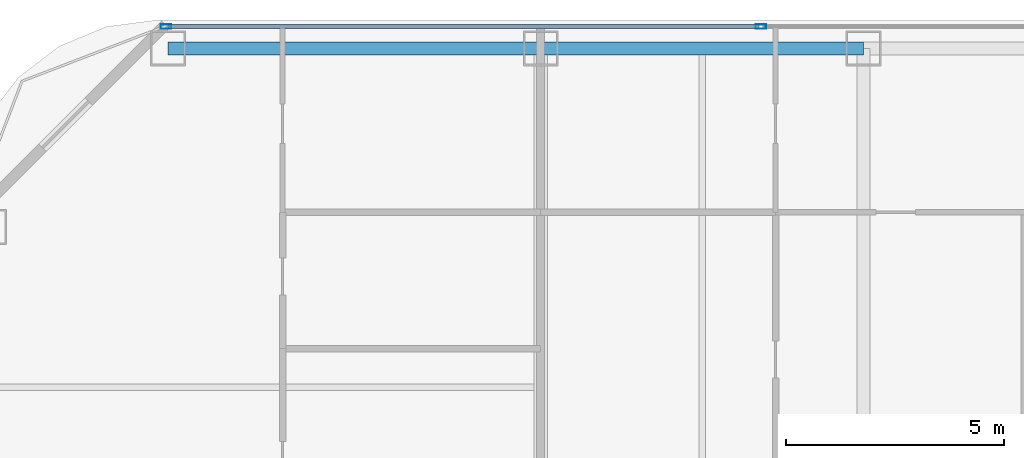
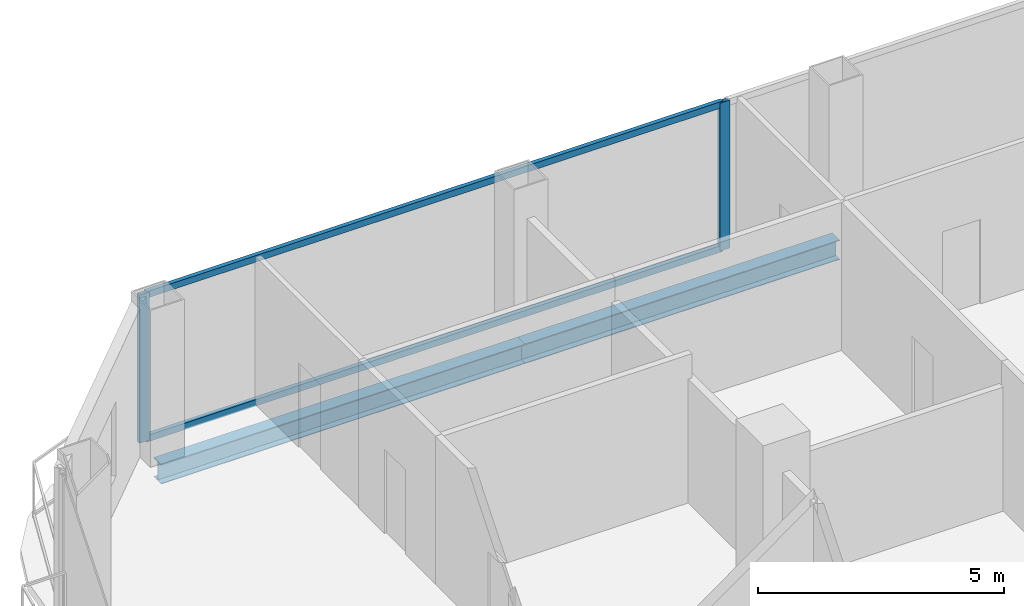
# One storey, part 15 of 28: 4 members, 2 beams, 1 element without a shape of its own.
"""IFC4 building model written with IfcOpenShell, lengths in metres."""

import ifcopenshell
import ifcopenshell.guid

model = None  # the IFC model being written
_history = None  # IfcOwnerHistory: only IFC2X3 demands one
_inside = {}  # id of a spatial element -> (the spatial element, [elements in it])
_under = {}  # id of a project, library or spatial element -> (it, [spatial elements below it])
_declared = {}  # id of a project -> (the project, [libraries it declares])
_typed = {}  # id of a type object -> (the type object, [elements of that type])
_made_of = {}  # id of a material, layer set ... -> (it, [elements and type objects made of it])


def new_model(schema):
    """Start an empty IFC model of exactly this schema.

    Asked for "IFC4X3", IfcOpenShell would pick the latest addendum, in which some entities
    have other attributes; the version numbers below select the first issue.
    IFC2X3 requires an IfcOwnerHistory on every rooted entity: one is made here for all.
    """
    global model, _history
    if schema == "IFC4X3":
        model = ifcopenshell.file(schema_version=(4, 3, 0, 0))
    else:
        model = ifcopenshell.file(schema=schema)
    _inside.clear()
    _under.clear()
    _declared.clear()
    _typed.clear()
    _made_of.clear()
    _history = None
    if model.schema == "IFC2X3":
        org = make("IfcOrganization", Name="unknown")
        user = make(
            "IfcPersonAndOrganization",
            ThePerson=make("IfcPerson", FamilyName="unknown"),
            TheOrganization=org,
        )
        app = make(
            "IfcApplication",
            ApplicationDeveloper=org,
            Version="unknown",
            ApplicationFullName="unknown",
            ApplicationIdentifier="unknown",
        )
        _history = make(
            "IfcOwnerHistory",
            OwningUser=user,
            OwningApplication=app,
            ChangeAction="ADDED",
            CreationDate=0,
        )
    return model


def make(cls, **values):
    """One entity of the class cls with the attributes given. An attribute that is None is left unset."""
    return model.create_entity(
        cls, **{name: value for name, value in values.items() if value is not None}
    )


def rooted(cls, **values):
    """An entity with a GlobalId (a new one), such as an element, a storey or a relation."""
    return make(cls, GlobalId=ifcopenshell.guid.new(), OwnerHistory=_history, **values)


def si_unit(unit_type, name, prefix=None):
    """IfcSIUnit, for example si_unit("LENGTHUNIT", "METRE", prefix="MILLI")."""
    return make("IfcSIUnit", UnitType=unit_type, Prefix=prefix, Name=name)


def assignment(units):
    """IfcUnitAssignment: the units of a project."""
    return None if units is None else make("IfcUnitAssignment", Units=units)


def point(xyz):
    """IfcCartesianPoint."""
    return None if xyz is None else make("IfcCartesianPoint", Coordinates=xyz)


def direction(xyz):
    """IfcDirection."""
    return None if xyz is None else make("IfcDirection", DirectionRatios=xyz)


def frame(location, z_axis=None, x_axis=None):
    """IfcAxis2Placement3D, a coordinate frame: its origin and axes. An axis left out is left unset."""
    return make(
        "IfcAxis2Placement3D",
        Location=point(location),
        Axis=direction(z_axis),
        RefDirection=direction(x_axis),
    )


def frame_2d(location, x_axis=None):
    """IfcAxis2Placement2D, a coordinate frame in the plane: its origin and x axis."""
    return make(
        "IfcAxis2Placement2D", Location=point(location), RefDirection=direction(x_axis)
    )


def origin():
    """The frame at (0, 0, 0) with its axes left unset."""
    return frame((0.0, 0.0, 0.0))


def origin_2d():
    """The frame at (0, 0) in the plane with its x axis left unset."""
    return frame_2d((0.0, 0.0))


def place(relative_to, where):
    """IfcLocalPlacement: puts the frame where relative to a parent placement (None: the world)."""
    return make(
        "IfcLocalPlacement", PlacementRelTo=relative_to, RelativePlacement=where
    )


def context(
    kind, dimensions, precision=None, world=None, true_north=None, identifier=None
):
    """IfcGeometricRepresentationContext, for example the 3D "Model" context."""
    return make(
        "IfcGeometricRepresentationContext",
        ContextIdentifier=identifier,
        ContextType=kind,
        CoordinateSpaceDimension=dimensions,
        Precision=precision,
        WorldCoordinateSystem=world,
        TrueNorth=true_north,
    )


def subcontext(parent, identifier, kind, view, scale=None):
    """IfcGeometricRepresentationSubContext, for example "Body" below "Model"."""
    return make(
        "IfcGeometricRepresentationSubContext",
        ContextIdentifier=identifier,
        ContextType=kind,
        ParentContext=parent,
        TargetScale=scale,
        TargetView=view,
    )


def project(units=None, contexts=None):
    """IfcProject with its units and contexts."""
    return rooted(
        "IfcProject",
        Name="project",
        RepresentationContexts=contexts,
        UnitsInContext=assignment(units),
    )


def spatial(cls, under=None, at=None, **own):
    """A site, building, storey or space (cls), placed at a placement, below another one or the project."""
    s = rooted(cls, ObjectPlacement=at, **own)
    if under is not None:
        _under.setdefault(under.id(), (under, []))[1].append(s)
    return s


def profile(cls, at=None, kind="AREA", **sizes):
    """A parametric profile (cls). Its sizes go by their IFC names, for example OverallWidth=200.0."""
    return make(cls, ProfileType=kind, Position=at, **sizes)


def hollow_rectangle(**sizes):
    """IfcRectangleHollowProfileDef."""
    return profile("IfcRectangleHollowProfileDef", **sizes)


def i_section(**sizes):
    """IfcIShapeProfileDef."""
    return profile("IfcIShapeProfileDef", **sizes)


def extrude(swept, where, along, depth):
    """IfcExtrudedAreaSolid: the profile swept, set in the frame where, extruded along a direction by depth."""
    return make(
        "IfcExtrudedAreaSolid",
        SweptArea=swept,
        Position=where,
        ExtrudedDirection=direction(along),
        Depth=depth,
    )


def shape(context_of_items, identifier, shape_type, items):
    """IfcShapeRepresentation: the items that make up one representation, for example the "Body"."""
    return make(
        "IfcShapeRepresentation",
        ContextOfItems=context_of_items,
        RepresentationIdentifier=identifier,
        RepresentationType=shape_type,
        Items=items,
    )


def material(Name=None, Category=None):
    """IfcMaterial."""
    return make("IfcMaterial", Name=Name, Category=Category)


def layer(
    of_material, thickness, ventilated=None, Name=None, Category=None, Priority=None
):
    """IfcMaterialLayer: one layer of a wall or slab, of a material (None: an air gap)."""
    return make(
        "IfcMaterialLayer",
        Material=of_material,
        LayerThickness=thickness,
        IsVentilated=ventilated,
        Name=Name,
        Category=Category,
        Priority=Priority,
    )


def layer_set(layers, Name=None):
    """IfcMaterialLayerSet."""
    return make("IfcMaterialLayerSet", MaterialLayers=layers, LayerSetName=Name)


def material_profile(
    of_material, cross_section, Name=None, Category=None, Priority=None
):
    """IfcMaterialProfile: a cross section and its material."""
    return make(
        "IfcMaterialProfile",
        Name=Name,
        Material=of_material,
        Profile=cross_section,
        Priority=Priority,
        Category=Category,
    )


def profile_set(profiles, Name=None, composite=None):
    """IfcMaterialProfileSet."""
    return make(
        "IfcMaterialProfileSet",
        Name=Name,
        MaterialProfiles=profiles,
        CompositeProfile=composite,
    )


def made_of(thing, what):
    """Note that an element or type object is made of a material, layer set ...; save() writes the relation."""
    if what is not None:
        _made_of.setdefault(what.id(), (what, []))[1].append(thing)
    return thing


def type_object(cls, material=None, **own):
    """A type object (cls), such as IfcWallType, which elements share."""
    return made_of(rooted(cls, **own), material)


def element(
    cls,
    number,
    at=None,
    inside=None,
    cuts=None,
    type_object=None,
    material=None,
    context=None,
    identifier="Body",
    shape_type=None,
    held_by="IfcProductDefinitionShape",
    body=None,
    shapes=None,
    **own,
):
    """One element of the class cls, such as IfcWall. Its Tag is "e" and its number.

    at: its placement. inside: the storey or other place that contains it. cuts: it is an
    opening in that element (IfcRelVoidsElement). A single representation is given by context,
    identifier, shape_type and body (its items); several are given by shapes. held_by: the class
    of the entity that holds the representations. save() writes the other relations.
    """
    e = rooted(cls, Tag="e%d" % number, ObjectPlacement=at, **own)
    if body is not None:
        shapes = [shape(context, identifier, shape_type, body)]
    if shapes is not None:
        e.Representation = make(held_by, Representations=shapes)
    if inside is not None:
        _inside.setdefault(inside.id(), (inside, []))[1].append(e)
    if cuts is not None:
        rooted(
            "IfcRelVoidsElement", RelatingBuildingElement=cuts, RelatedOpeningElement=e
        )
    if type_object is not None:
        _typed.setdefault(type_object.id(), (type_object, []))[1].append(e)
    return made_of(e, material)


def aggregate(whole, parts):
    """IfcRelAggregates: a whole, such as a stair, and the parts it consists of."""
    return rooted("IfcRelAggregates", RelatingObject=whole, RelatedObjects=parts)


def save(model, path):
    """Write the relations noted so far, then the file.

    IfcRelAggregates (storeys below a building ...), IfcRelContainedInSpatialStructure (elements
    in a storey), IfcRelDefinesByType, IfcRelAssociatesMaterial and IfcRelDeclares: one each for
    every whole, place, type object, material and project.
    """
    for whole, parts in _under.values():
        aggregate(whole, parts)
    for where, things in _inside.values():
        rooted(
            "IfcRelContainedInSpatialStructure",
            RelatedElements=things,
            RelatingStructure=where,
        )
    for kind, things in _typed.values():
        rooted("IfcRelDefinesByType", RelatedObjects=things, RelatingType=kind)
    for what, things in _made_of.values():
        rooted("IfcRelAssociatesMaterial", RelatedObjects=things, RelatingMaterial=what)
    for by, libraries in _declared.values():
        rooted("IfcRelDeclares", RelatingContext=by, RelatedDefinitions=libraries)
    model.write(path)


model = new_model("IFC4")

# Units and contexts
model_context = context("Model", 3, precision=1e-05, world=origin(), true_north=direction((0.0, 1.0)))
body_context = subcontext(model_context, "Body", "Model", "MODEL_VIEW")
ifc_project = project(units=[si_unit("LENGTHUNIT", "METRE"), si_unit("AREAUNIT", "SQUARE_METRE"), si_unit("VOLUMEUNIT", "CUBIC_METRE"), si_unit("PLANEANGLEUNIT", "RADIAN"), si_unit("MASSUNIT", "GRAM", prefix="KILO")], contexts=[model_context])

# Site, building, storey
site_placement = place(None, origin())
site = spatial("IfcSite", under=ifc_project, at=site_placement, CompositionType="ELEMENT")
building_placement = place(site_placement, origin())
building = spatial("IfcBuilding", under=site, at=building_placement, Name="Khorvyn Point Tower", CompositionType="ELEMENT")
storey_placement = place(building_placement, frame((0.0, 0.0, 100.800048828125)))
storey = spatial("IfcBuildingStorey", under=building, at=storey_placement, Name="L25", CompositionType="ELEMENT", Elevation=100.800048828125)

# Curtain wall, members
ifc_material_1 = material(Name="Anodised aluminium 6063-T6 and laminated Low-E glass", Category="aluminium")
ifc_layer = layer(ifc_material_1, 0.18994140625)
ifc_layer_set = layer_set([ifc_layer], Name="Stick-Built Finned Residential Curtain Wall CW-SYS-02")
curtain_wall_type = type_object("IfcCurtainWallType", Name="Stick-Built Finned Residential Curtain Wall CW-SYS-02", PredefinedType="NOTDEFINED", material=ifc_layer_set)
curtain_wall_placement = place(storey_placement, origin())
curtain_wall = element("IfcCurtainWall", 1, at=curtain_wall_placement, inside=storey, type_object=curtain_wall_type, Name="Curtain Wall", PredefinedType="NOTDEFINED")
ifc_material_2 = material(Name="Anodised aluminium 6063-T6", Category="aluminium")
ifc_material_profile_1 = material_profile(ifc_material_2, hollow_rectangle(XDim=0.10009765625, YDim=0.239990234375, WallThickness=0.0048828125, at=origin_2d()))
ifc_profile_set_1 = profile_set([ifc_material_profile_1], Name="Anodised aluminium 6063-T6 ALU-MUL-100x240")
member_type_1 = type_object("IfcMemberType", Name="Anodised Aluminium 6063-T6 Mullion ALU-MUL-100x240", PredefinedType="MULLION", material=ifc_profile_set_1)
member_1_placement = place(storey_placement, frame((-23.39990234375, 30.85009765625, 0.0), z_axis=(0.0, 0.0, 1.0), x_axis=(0.0, 1.0, 0.0)))
member_1 = element("IfcMember", 2, at=member_1_placement, type_object=member_type_1, Name="Transom", PredefinedType="MULLION", context=body_context, shape_type="SweptSolid", body=[
    extrude(hollow_rectangle(XDim=0.10009765625, YDim=0.239990234375, WallThickness=0.0048828125, at=origin_2d()), origin(), (0.0, 0.0, 1.0), 3.679931640625),
])
member_2_placement = place(storey_placement, frame((-9.75, 30.85009765625, 0.0), z_axis=(0.0, 0.0, 1.0), x_axis=(0.0, 1.0, 0.0)))
member_2 = element("IfcMember", 3, at=member_2_placement, type_object=member_type_1, Name="Transom", PredefinedType="MULLION", context=body_context, shape_type="SweptSolid", body=[
    extrude(hollow_rectangle(XDim=0.10009765625, YDim=0.239990234375, WallThickness=0.0048828125, at=origin_2d()), origin(), (0.0, 0.0, 1.0), 3.679931640625),
])
ifc_material_profile_2 = material_profile(ifc_material_2, hollow_rectangle(XDim=0.10009765625, YDim=0.159912109375, WallThickness=0.00439453125, at=origin_2d()))
ifc_profile_set_2 = profile_set([ifc_material_profile_2], Name="Anodised aluminium 6063-T6 ALU-TRN-100x160")
member_type_2 = type_object("IfcMemberType", Name="Anodised Aluminium 6063-T6 Transom ALU-TRN-100x160", PredefinedType="USERDEFINED", material=ifc_profile_set_2)
member_3_placement = place(storey_placement, frame((-23.35009765625, 30.85009765625, 0.050048828125), z_axis=(1.0, 0.0, 0.0), x_axis=(0.0, 1.0, 0.0)))
member_3 = element("IfcMember", 4, at=member_3_placement, type_object=member_type_2, Name="Transom", ObjectType="TRANSOM", PredefinedType="USERDEFINED", context=body_context, shape_type="SweptSolid", body=[
    extrude(hollow_rectangle(XDim=0.10009765625, YDim=0.159912109375, WallThickness=0.00439453125, at=origin_2d()), origin(), (0.0, 0.0, 1.0), 13.550048828125),
])
member_4_placement = place(storey_placement, frame((-23.35009765625, 30.85009765625, 3.6298828125), z_axis=(1.0, 0.0, 0.0), x_axis=(0.0, 1.0, 0.0)))
member_4 = element("IfcMember", 5, at=member_4_placement, type_object=member_type_2, Name="Transom", ObjectType="TRANSOM", PredefinedType="USERDEFINED", context=body_context, shape_type="SweptSolid", body=[
    extrude(hollow_rectangle(XDim=0.10009765625, YDim=0.159912109375, WallThickness=0.00439453125, at=origin_2d()), origin(), (0.0, 0.0, 1.0), 13.550048828125),
])
aggregate(curtain_wall, [member_1, member_2, member_3, member_4])

# Beams
ifc_material_3 = material(Name="Steel S355", Category="steel")
ifc_material_profile_3 = material_profile(ifc_material_3, i_section(OverallWidth=0.300048828125, OverallDepth=0.488037109375, WebThickness=0.010986328125, FlangeThickness=0.01806640625, at=origin_2d()))
ifc_profile_set_3 = profile_set([ifc_material_profile_3], Name="Steel S355 H488x300x11x18")
beam_type = type_object("IfcBeamType", Name="Steel S355 Spandrel H488x300x11x18", PredefinedType="SPANDREL", material=ifc_profile_set_3)
beam_1_placement = place(storey_placement, frame((-23.35009765625, 30.35009765625, -0.464111328125), z_axis=(1.0, 0.0, 0.0), x_axis=(0.0, 1.0, 0.0)))
element("IfcBeam", 6, at=beam_1_placement, inside=storey, type_object=beam_type, Name="Beam", PredefinedType="SPANDREL", context=body_context, shape_type="SweptSolid", body=[
    extrude(i_section(OverallWidth=0.300048828125, OverallDepth=0.488037109375, WebThickness=0.010986328125, FlangeThickness=0.01806640625, at=origin_2d()), origin(), (0.0, 0.0, 1.0), 8.550048828125),
])
beam_2_placement = place(storey_placement, frame((-14.800048828125, 30.35009765625, -0.464111328125), z_axis=(1.0, 0.0, 0.0), x_axis=(0.0, 1.0, 0.0)))
element("IfcBeam", 7, at=beam_2_placement, inside=storey, type_object=beam_type, Name="Beam", PredefinedType="SPANDREL", context=body_context, shape_type="SweptSolid", body=[
    extrude(i_section(OverallWidth=0.300048828125, OverallDepth=0.488037109375, WebThickness=0.010986328125, FlangeThickness=0.01806640625, at=origin_2d()), origin(), (0.0, 0.0, 1.0), 7.400146484375),
])

save(model, "model.ifc")
